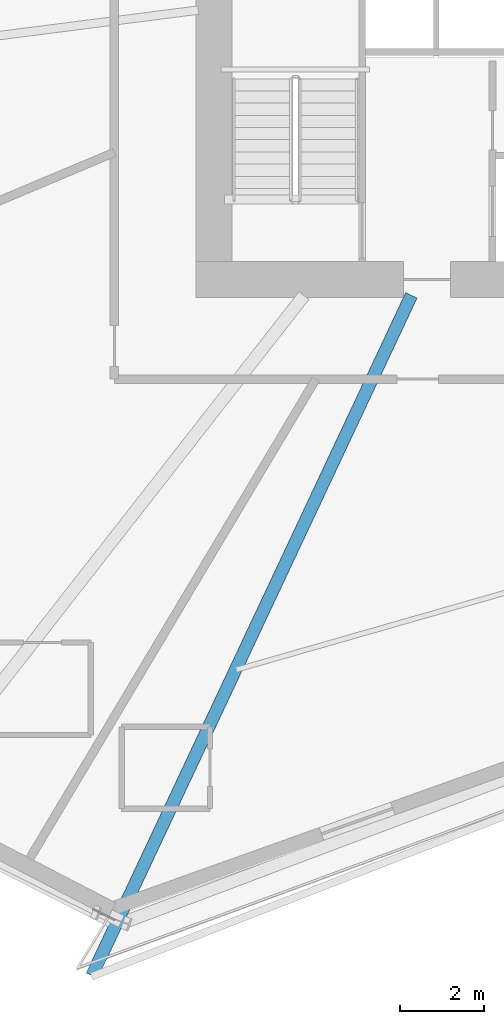
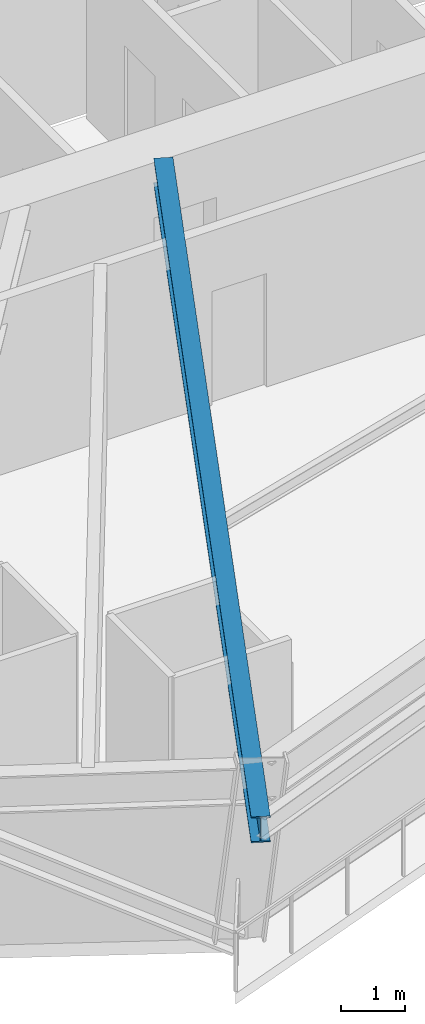
# One storey, part 3 of 22: 1 beam.
"""IFC4 building model written with IfcOpenShell, lengths in metres."""

from ifc_helpers import new_model, si_unit, direction, frame, origin, origin_2d, place, context, subcontext, project, spatial, i_section, extrude, source, transform, mapped, material, material_profile, profile_set, type_object, element, save


model = new_model("IFC4")

# Units and contexts
model_context = context("Model", 3, precision=1e-05, world=origin(), true_north=direction((0.0, 1.0)))
body_context = subcontext(model_context, "Body", "Model", "MODEL_VIEW")
ifc_project = project(units=[si_unit("LENGTHUNIT", "METRE"), si_unit("AREAUNIT", "SQUARE_METRE"), si_unit("VOLUMEUNIT", "CUBIC_METRE"), si_unit("PLANEANGLEUNIT", "RADIAN"), si_unit("MASSUNIT", "GRAM", prefix="KILO")], contexts=[model_context])

# Site, building, storey
site_placement = place(None, origin())
site = spatial("IfcSite", under=ifc_project, at=site_placement, CompositionType="ELEMENT")
building_placement = place(site_placement, origin())
building = spatial("IfcBuilding", under=site, at=building_placement, Name="Olszyna Solenne Hotel", CompositionType="ELEMENT")
storey_placement = place(building_placement, frame((0.0, 0.0, 61.25)))
storey = spatial("IfcBuildingStorey", under=building, at=storey_placement, Name="L15", CompositionType="ELEMENT", Elevation=61.25)

# Beam
ifc_material = material(Name="Steel S355J2", Category="steel")
ifc_material_profile = material_profile(ifc_material, i_section(OverallWidth=0.300048828125, OverallDepth=0.489990234375, WebThickness=0.011962890625, FlangeThickness=0.02294921875, at=origin_2d()), Name="HEA 500", Category="load-bearing")
ifc_profile_set = profile_set([ifc_material_profile], Name="Steel S355J2")
beam_type = type_object("IfcBeamType", Name="BM-G1", PredefinedType="BEAM", material=ifc_profile_set)
shared_shape = source(origin(), body_context, "Body", "SweptSolid", [
    extrude(i_section(OverallWidth=0.300048828125, OverallDepth=0.489990234375, WebThickness=0.011962890625, FlangeThickness=0.02294921875, at=origin_2d()), origin(), (0.0, 0.0, 1.0), 17.89306640625),
])
beam_placement = place(storey_placement, frame((26.765869140625, 2.499267578125, 3.054931640625), z_axis=(0.425066859435, 0.905161955127, 0.0), x_axis=(-0.905161955127, 0.425066859435, 0.0)))
element("IfcBeam", 1, at=beam_placement, inside=storey, type_object=beam_type, Name="Radial floor girder BM-G1 B-L15-0485", PredefinedType="BEAM", context=body_context, shape_type="MappedRepresentation", body=[
    mapped(shared_shape, transform((0.0, 0.0, 0.0), x_axis=(1.0, 0.0, 0.0), y_axis=(0.0, 1.0, 0.0), z_axis=(0.0, 0.0, 1.0), scale=1.0)),
])

save(model, "model.ifc")
